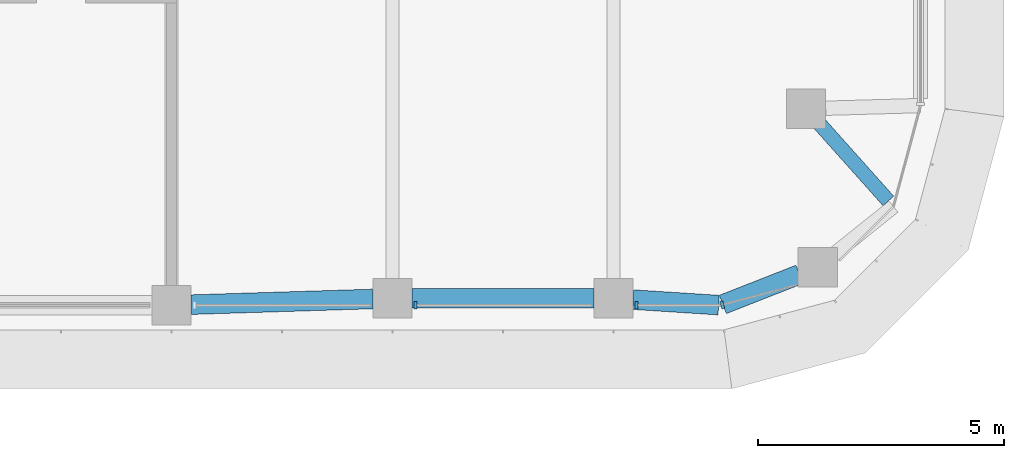
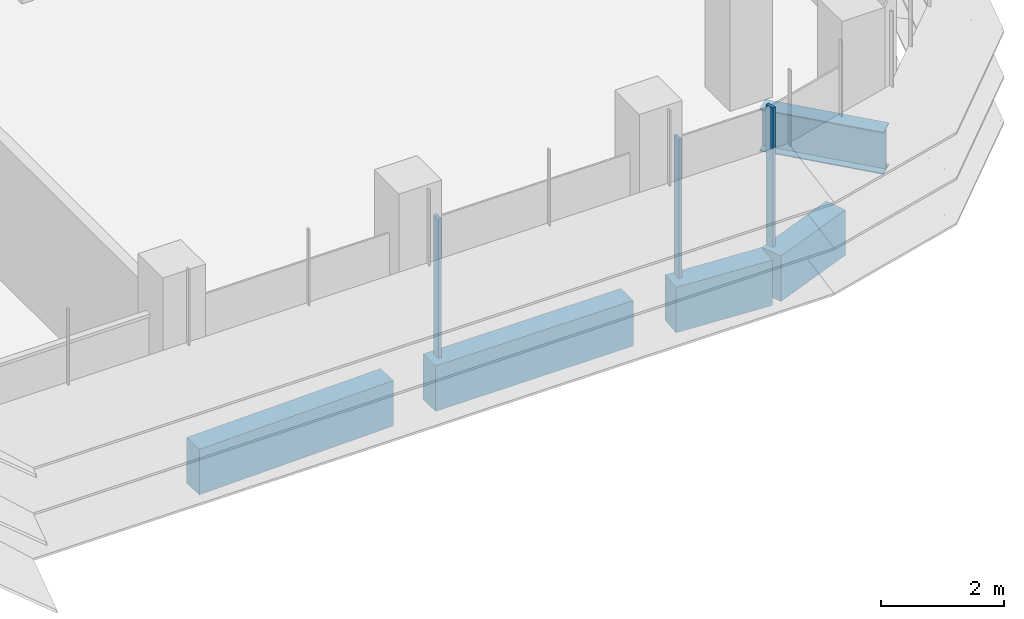
# One storey, part 5 of 20: 5 beams, 3 members, 2 elements without a shape of their own.
"""IFC4 building model written with IfcOpenShell, lengths in metres."""

from ifc_helpers import new_model, si_unit, direction, frame, origin, origin_2d, place, context, subcontext, project, spatial, polyline, rectangle, i_section, outline, extrude, source, transform, mapped, material, material_profile, profile_set, type_object, element, aggregate, save


model = new_model("IFC4")

# Units and contexts
model_context = context("Model", 3, precision=1e-05, world=origin(), true_north=direction((0.0, 1.0)))
body_context = subcontext(model_context, "Body", "Model", "MODEL_VIEW")
ifc_project = project(units=[si_unit("LENGTHUNIT", "METRE"), si_unit("AREAUNIT", "SQUARE_METRE"), si_unit("VOLUMEUNIT", "CUBIC_METRE"), si_unit("PLANEANGLEUNIT", "RADIAN"), si_unit("MASSUNIT", "GRAM", prefix="KILO")], contexts=[model_context])

# Site, building, storey
site_placement = place(None, origin())
site = spatial("IfcSite", under=ifc_project, at=site_placement, CompositionType="ELEMENT")
building_placement = place(site_placement, origin())
building = spatial("IfcBuilding", under=site, at=building_placement, Name="Zarbagh Exchange Tower", CompositionType="ELEMENT")
storey_placement = place(building_placement, frame((0.0, 0.0, 152.39990234375)))
storey = spatial("IfcBuildingStorey", under=building, at=storey_placement, Name="L36", CompositionType="ELEMENT", Elevation=152.39990234375)

# Beams
ifc_material_1 = material(Name="Steel ASTM A992 Gr 50", Category="steel")
ifc_material_profile_1 = material_profile(ifc_material_1, i_section(OverallWidth=0.2919921875, OverallDepth=0.835693359375, WebThickness=0.013916015625, FlangeThickness=0.018798828125, at=origin_2d()), Name="W33X118")
ifc_profile_set_1 = profile_set([ifc_material_profile_1], Name="Steel ASTM A992 Gr 50")
beam_type_1 = type_object("IfcBeamType", Name="Floor girder W33X118", PredefinedType="BEAM", material=ifc_profile_set_1)
beam_1_placement = place(storey_placement, frame((28.9365234375, -2.54833984375, -0.567626953125), z_axis=(0.666238158503, -0.745739040251, 0.0), x_axis=(0.745739040251, 0.666238158503, 0.0)))
element("IfcBeam", 1, at=beam_1_placement, inside=storey, type_object=beam_type_1, Name="Steel girder", PredefinedType="BEAM", context=body_context, shape_type="SweptSolid", body=[
    extrude(i_section(OverallWidth=0.2919921875, OverallDepth=0.835693359375, WebThickness=0.013916015625, FlangeThickness=0.018798828125, at=origin_2d()), origin(), (0.0, 0.0, 1.0), 2.115966796875),
])
ifc_material_2 = material(Name="Concrete C50/60", Category="concrete")
ifc_material_profile_2 = material_profile(ifc_material_2, rectangle(XDim=0.39990234375, YDim=0.89990234375, at=origin_2d()), Name="RC spandrel beam 400 x 900 C50/60")
ifc_profile_set_2 = profile_set([ifc_material_profile_2], Name="Concrete C50/60")
beam_type_2 = type_object("IfcBeamType", Name="RC spandrel beam 400 x 900 C50/60", PredefinedType="SPANDREL", material=ifc_profile_set_2)
beam_2_placement = place(storey_placement, frame((28.53564453125, -5.62109375, -0.599853515625), z_axis=(-0.930818758612, -0.36548110569, 0.0), x_axis=(0.36548110569, -0.930818758612, 0.0)))
element("IfcBeam", 2, at=beam_2_placement, inside=storey, type_object=beam_type_2, Name="RC spandrel beam", PredefinedType="SPANDREL", context=body_context, shape_type="SweptSolid", body=[
    extrude(rectangle(XDim=0.39990234375, YDim=0.89990234375, at=origin_2d()), origin(), (0.0, 0.0, 1.0), 1.676025390625),
])
beam_3_placement = place(storey_placement, frame((26.8896484375, -6.247314453125, -0.599853515625), z_axis=(-0.997942679773, 0.064112462805, 0.0), x_axis=(-0.064112462805, -0.997942679773, 0.0)))
element("IfcBeam", 3, at=beam_3_placement, inside=storey, type_object=beam_type_2, Name="RC spandrel beam", PredefinedType="SPANDREL", context=body_context, shape_type="SweptSolid", body=[
    extrude(rectangle(XDim=0.39990234375, YDim=0.89990234375, at=origin_2d()), origin(), (0.0, 0.0, 1.0), 1.744140625),
])
beam_4_placement = place(storey_placement, frame((24.35009765625, -6.110107421875, -0.599853515625), z_axis=(-1.0, 0.0, 0.0), x_axis=(0.0, -1.0, 0.0)))
element("IfcBeam", 4, at=beam_4_placement, inside=storey, type_object=beam_type_2, Name="RC spandrel beam", PredefinedType="SPANDREL", context=body_context, shape_type="SweptSolid", body=[
    extrude(rectangle(XDim=0.39990234375, YDim=0.89990234375, at=origin_2d()), origin(), (0.0, 0.0, 1.0), 3.7001953125),
])
beam_5_placement = place(storey_placement, frame((19.85009765625, -6.122314453125, -0.599853515625), z_axis=(-0.999515416033, -0.031127690444, 0.0), x_axis=(0.031127690444, -0.999515416033, 0.0)))
element("IfcBeam", 5, at=beam_5_placement, inside=storey, type_object=beam_type_2, Name="RC spandrel beam", PredefinedType="SPANDREL", context=body_context, shape_type="SweptSolid", body=[
    extrude(rectangle(XDim=0.39990234375, YDim=0.89990234375, at=origin_2d()), origin(), (0.0, 0.0, 1.0), 3.701904296875),
])

# Curtain wall, members
ifc_material_3 = material(Name="Anodised aluminium frame and glazing", Category="aluminium")
curtain_wall_type = type_object("IfcCurtainWallType", Name="CWB Ribbon glazing, upper zones", PredefinedType="NOTDEFINED", material=ifc_material_3)
curtain_wall_1_placement = place(storey_placement, origin())
curtain_wall_1 = element("IfcCurtainWall", 6, at=curtain_wall_1_placement, inside=storey, type_object=curtain_wall_type, Name="CWB08 curtain wall", PredefinedType="NOTDEFINED")
ifc_material_4 = material(Name="Anodised aluminium frame", Category="aluminium")
member_type = type_object("IfcMemberType", Name="MUB Mullion, anodised aluminium frame", PredefinedType="MULLION", material=ifc_material_4)
shared_shape = source(origin(), body_context, "Body", "SweptSolid", [
    extrude(outline(polyline([(0.0, -0.080078125), (0.06005859375, -0.080078125), (0.06005859375, 0.080078125), (0.0, 0.080078125), (0.0, -0.080078125)])), origin(), (0.0, 0.0, 1.0), 2.75),
])
placement = place(storey_placement, origin())
member_1 = element("IfcMember", 7, at=placement, type_object=member_type, Name="CWB08 mullion 3.1", PredefinedType="MULLION", context=body_context, shape_type="MappedRepresentation", body=[
    mapped(shared_shape, transform((20.68994140625, -6.25, 0.0), x_axis=(1.0, 0.0, 0.0), y_axis=(0.0, 1.0, 0.0), z_axis=(0.0, 0.0, 1.0))),
])
member_2 = element("IfcMember", 8, at=placement, type_object=member_type, Name="CWB08 mullion 4.1", PredefinedType="MULLION", context=body_context, shape_type="MappedRepresentation", body=[
    mapped(shared_shape, transform((25.18994140625, -6.25, 0.0), x_axis=(1.0, 0.0, 0.0), y_axis=(0.0, 1.0, 0.0), z_axis=(0.0, 0.0, 1.0))),
])
aggregate(curtain_wall_1, [member_1, member_2])

# Curtain wall, member
curtain_wall_2_placement = place(storey_placement, origin())
curtain_wall_2 = element("IfcCurtainWall", 9, at=curtain_wall_2_placement, inside=storey, type_object=curtain_wall_type, Name="CWB09 curtain wall", PredefinedType="NOTDEFINED")
member_3 = element("IfcMember", 10, at=placement, type_object=member_type, Name="CWB09 mullion 1.1", PredefinedType="MULLION", context=body_context, shape_type="MappedRepresentation", body=[
    mapped(shared_shape, transform((26.93408203125, -6.25, 0.0), x_axis=(0.965924289636, 0.258824779902, 0.0), y_axis=(-0.258824779902, 0.965924289636, 0.0), z_axis=(0.0, 0.0, 1.0))),
])
aggregate(curtain_wall_2, [member_3])

save(model, "model.ifc")
